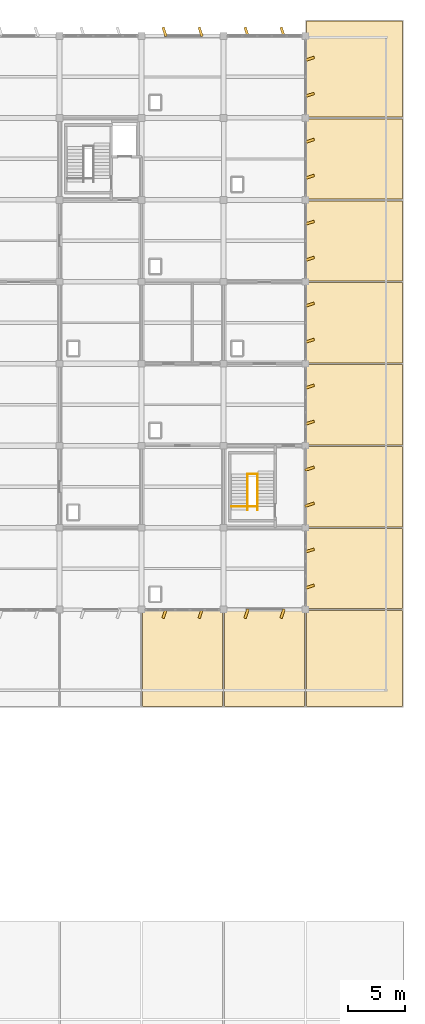
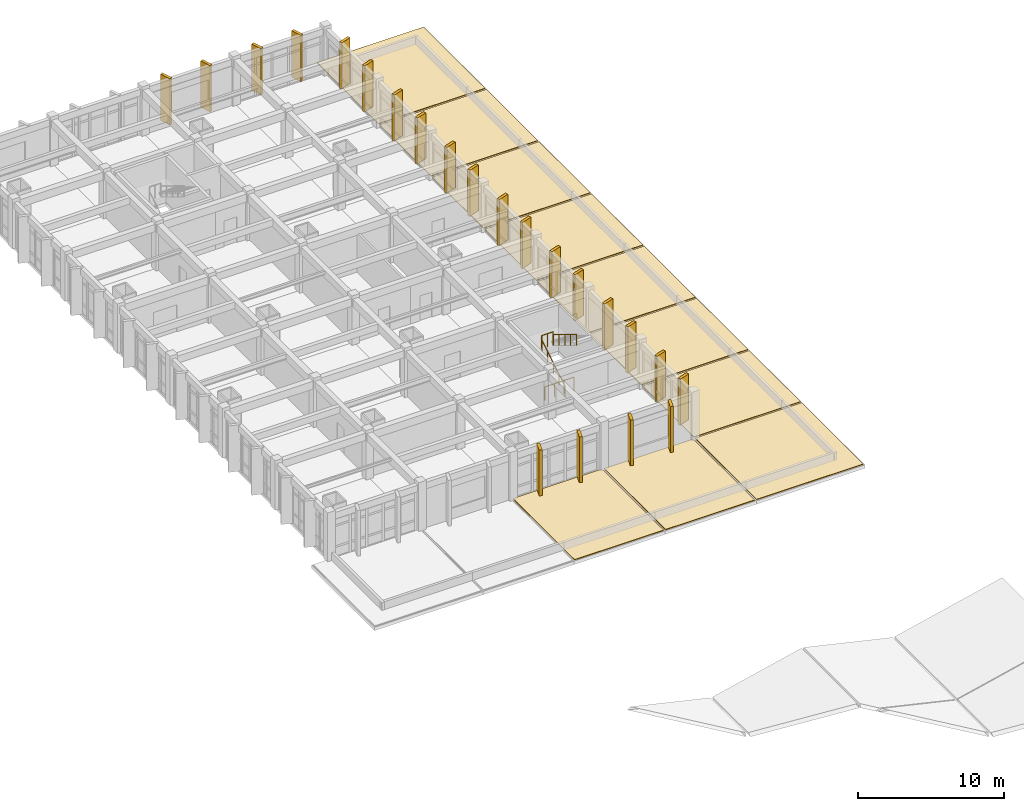
# One storey, part 62 of 62: 32 coverings, 4 railings.
"""IFC4 building model written with IfcOpenShell, lengths in metres."""

from ifc_helpers import new_model, si_unit, direction, frame, origin, origin_2d, place, context, subcontext, project, spatial, polyline, rectangle, circle, outline, extrude, material, layer, layer_set, type_object, element, save


model = new_model("IFC4")

# Units and contexts
model_context = context("Model", 3, precision=1e-05, world=origin(), true_north=direction((0.0, 1.0)))
body_context = subcontext(model_context, "Body", "Model", "MODEL_VIEW")
ifc_project = project(units=[si_unit("LENGTHUNIT", "METRE"), si_unit("AREAUNIT", "SQUARE_METRE"), si_unit("VOLUMEUNIT", "CUBIC_METRE"), si_unit("PLANEANGLEUNIT", "RADIAN"), si_unit("MASSUNIT", "GRAM", prefix="KILO")], contexts=[model_context])

# Site, building, storey
site_placement = place(None, origin())
site = spatial("IfcSite", under=ifc_project, at=site_placement, CompositionType="ELEMENT")
building_placement = place(site_placement, origin())
building = spatial("IfcBuilding", under=site, at=building_placement, Name="Kavelor Marine Aquarium", CompositionType="ELEMENT")
storey_placement = place(building_placement, frame((0.0, 0.0, 13.5)))
storey = spatial("IfcBuildingStorey", under=building, at=storey_placement, Name="L03", CompositionType="ELEMENT", Elevation=13.5)

# Coverings
ifc_material_1 = material(Name="Precast Concrete C45/55 Coastal Brise-Soleil Fin", Category="concrete")
ifc_layer_1 = layer(ifc_material_1, 0.219970703125)
ifc_layer_set_1 = layer_set([ifc_layer_1], Name="COV-CL1")
covering_type_1 = type_object("IfcCoveringType", Name="COV-CL1", PredefinedType="CLADDING", material=ifc_layer_set_1)
for number, where, z_axis, x_axis, name in (
    (1, (147.56005859375, 62.416015625, 0.0), (0.0, 0.0, 1.0), (0.951056516295, 0.309016994375, 0.0), "fin:y:L03:20_08:0"),
    (2, (147.56005859375, 65.583984375, 0.0), (0.0, 0.0, 1.0), (0.951056516295, 0.309016994375, 0.0), "fin:y:L03:20_08:1"),
    (3, (147.56005859375, 69.615966796875, 0.0), (0.0, 0.0, 1.0), (0.951056516295, 0.309016994375, 0.0), "fin:y:L03:20_09:0"),
    (4, (147.56005859375, 72.783935546875, 0.0), (0.0, 0.0, 1.0), (0.951056516295, 0.309016994375, 0.0), "fin:y:L03:20_09:1"),
    (5, (147.56005859375, 76.81591796875, 0.0), (0.0, 0.0, 1.0), (0.951056516295, 0.309016994375, 0.0), "fin:y:L03:20_10:0"),
    (6, (147.56005859375, 79.98388671875, 0.0), (0.0, 0.0, 1.0), (0.951056516295, 0.309016994375, 0.0), "fin:y:L03:20_10:1"),
    (7, (147.56005859375, 84.01611328125, 0.0), (0.0, 0.0, 1.0), (0.951056516295, 0.309016994375, 0.0), "fin:y:L03:20_11:0"),
    (8, (147.56005859375, 87.18408203125, 0.0), (0.0, 0.0, 1.0), (0.951056516295, 0.309016994375, 0.0), "fin:y:L03:20_11:1"),
    (9, (147.56005859375, 91.216064453125, 0.0), (0.0, 0.0, 1.0), (0.951056516295, 0.309016994375, 0.0), "fin:y:L03:20_12:0"),
    (10, (147.56005859375, 94.384033203125, 0.0), (0.0, 0.0, 1.0), (0.951056516295, 0.309016994375, 0.0), "fin:y:L03:20_12:1"),
    (11, (147.56005859375, 98.416015625, 0.0), (0.0, 0.0, 1.0), (0.951056516295, 0.309016994375, 0.0), "fin:y:L03:20_13:0"),
    (12, (147.56005859375, 101.583984375, 0.0), (0.0, 0.0, 1.0), (0.951056516295, 0.309016994375, 0.0), "fin:y:L03:20_13:1"),
    (13, (147.56005859375, 105.615966796875, 0.0), (0.0, 0.0, 1.0), (0.951056516295, 0.309016994375, 0.0), "fin:y:L03:20_14:0"),
    (14, (147.56005859375, 108.783935546875, 0.0), (0.0, 0.0, 1.0), (0.951056516295, 0.309016994375, 0.0), "fin:y:L03:20_14:1"),
):
    element("IfcCovering", number, at=place(storey_placement, frame(where, z_axis=z_axis, x_axis=x_axis)), inside=storey, type_object=covering_type_1, Name=name, PredefinedType="CLADDING", context=body_context, shape_type="SweptSolid", body=[
        extrude(rectangle(XDim=0.85009765625, YDim=0.219970703125, at=origin_2d()), origin(), (0.0, 0.0, 1.0), 3.8798828125),
    ])
for number, where, z_axis, x_axis, name in (
    (15, (134.81591796875, 60.0400390625, 0.0), (0.0, 0.0, 1.0), (0.951056516295, -0.309016994375, 0.0), "fin:x:L03:18_08:0"),
    (16, (137.98388671875, 60.0400390625, 0.0), (0.0, 0.0, 1.0), (0.951056516295, -0.309016994375, 0.0), "fin:x:L03:18_08:1"),
    (17, (134.81591796875, 111.159912109375, 0.0), (0.0, 0.0, 1.0), (0.951056516295, 0.309016994375, 0.0), "fin:x:L03:18_15:0"),
    (18, (137.98388671875, 111.159912109375, 0.0), (0.0, 0.0, 1.0), (0.951056516295, 0.309016994375, 0.0), "fin:x:L03:18_15:1"),
    (19, (142.01611328125, 60.0400390625, 0.0), (0.0, 0.0, 1.0), (0.951056516295, -0.309016994375, 0.0), "fin:x:L03:19_08:0"),
    (20, (145.18408203125, 60.0400390625, 0.0), (0.0, 0.0, 1.0), (0.951056516295, -0.309016994375, 0.0), "fin:x:L03:19_08:1"),
    (21, (142.01611328125, 111.159912109375, 0.0), (0.0, 0.0, 1.0), (0.951056516295, 0.309016994375, 0.0), "fin:x:L03:19_15:0"),
    (22, (145.18408203125, 111.159912109375, 0.0), (0.0, 0.0, 1.0), (0.951056516295, 0.309016994375, 0.0), "fin:x:L03:19_15:1"),
):
    element("IfcCovering", number, at=place(storey_placement, frame(where, z_axis=z_axis, x_axis=x_axis)), inside=storey, type_object=covering_type_1, Name=name, PredefinedType="CLADDING", context=body_context, shape_type="SweptSolid", body=[
        extrude(rectangle(XDim=0.219970703125, YDim=0.85009765625, at=origin_2d()), origin(), (0.0, 0.0, 1.0), 3.8798828125),
    ])
ifc_material_2 = material(Name="TPO Reflective Waterproof Roofing Membrane")
ifc_layer_2 = layer(ifc_material_2, 0.06005859375)
ifc_layer_set_2 = layer_set([ifc_layer_2], Name="COV-RF1")
covering_type_2 = type_object("IfcCoveringType", Name="COV-RF1", PredefinedType="ROOFING", material=ifc_layer_set_2)
covering_1_placement = place(storey_placement, origin())
element("IfcCovering", 23, at=covering_1_placement, inside=storey, type_object=covering_type_2, Name="rcov:L03:18_07", PredefinedType="ROOFING", context=body_context, shape_type="SweptSolid", body=[
    extrude(outline(polyline([(132.8798828125, 51.8798828125), (139.919921875, 51.8798828125), (139.919921875, 60.320068359375), (132.8798828125, 60.320068359375), (132.8798828125, 51.8798828125)])), origin(), (0.0, 0.0, 1.0), 0.06005859375),
])
covering_2_placement = place(storey_placement, origin())
element("IfcCovering", 24, at=covering_2_placement, inside=storey, type_object=covering_type_2, Name="rcov:L03:19_07", PredefinedType="ROOFING", context=body_context, shape_type="SweptSolid", body=[
    extrude(outline(polyline([(140.080078125, 51.8798828125), (147.1201171875, 51.8798828125), (147.1201171875, 60.320068359375), (140.080078125, 60.320068359375), (140.080078125, 51.8798828125)])), origin(), (0.0, 0.0, 1.0), 0.06005859375),
])
covering_3_placement = place(storey_placement, origin())
element("IfcCovering", 25, at=covering_3_placement, inside=storey, type_object=covering_type_2, Name="rcov:L03:20_07", PredefinedType="ROOFING", context=body_context, shape_type="SweptSolid", body=[
    extrude(outline(polyline([(147.280029296875, 51.8798828125), (155.719970703125, 51.8798828125), (155.719970703125, 60.320068359375), (147.280029296875, 60.320068359375), (147.280029296875, 51.8798828125)])), origin(), (0.0, 0.0, 1.0), 0.06005859375),
])
covering_4_placement = place(storey_placement, origin())
element("IfcCovering", 26, at=covering_4_placement, inside=storey, type_object=covering_type_2, Name="rcov:L03:20_08", PredefinedType="ROOFING", context=body_context, shape_type="SweptSolid", body=[
    extrude(outline(polyline([(147.280029296875, 60.47998046875), (155.719970703125, 60.47998046875), (155.719970703125, 67.52001953125), (147.280029296875, 67.52001953125), (147.280029296875, 60.47998046875)])), origin(), (0.0, 0.0, 1.0), 0.06005859375),
])
covering_5_placement = place(storey_placement, origin())
element("IfcCovering", 27, at=covering_5_placement, inside=storey, type_object=covering_type_2, Name="rcov:L03:20_09", PredefinedType="ROOFING", context=body_context, shape_type="SweptSolid", body=[
    extrude(outline(polyline([(147.280029296875, 67.679931640625), (155.719970703125, 67.679931640625), (155.719970703125, 74.719970703125), (147.280029296875, 74.719970703125), (147.280029296875, 67.679931640625)])), origin(), (0.0, 0.0, 1.0), 0.06005859375),
])
covering_6_placement = place(storey_placement, origin())
element("IfcCovering", 28, at=covering_6_placement, inside=storey, type_object=covering_type_2, Name="rcov:L03:20_10", PredefinedType="ROOFING", context=body_context, shape_type="SweptSolid", body=[
    extrude(outline(polyline([(147.280029296875, 74.8798828125), (155.719970703125, 74.8798828125), (155.719970703125, 81.919921875), (147.280029296875, 81.919921875), (147.280029296875, 74.8798828125)])), origin(), (0.0, 0.0, 1.0), 0.06005859375),
])
covering_7_placement = place(storey_placement, origin())
element("IfcCovering", 29, at=covering_7_placement, inside=storey, type_object=covering_type_2, Name="rcov:L03:20_11", PredefinedType="ROOFING", context=body_context, shape_type="SweptSolid", body=[
    extrude(outline(polyline([(147.280029296875, 82.080078125), (155.719970703125, 82.080078125), (155.719970703125, 89.1201171875), (147.280029296875, 89.1201171875), (147.280029296875, 82.080078125)])), origin(), (0.0, 0.0, 1.0), 0.06005859375),
])
covering_8_placement = place(storey_placement, origin())
element("IfcCovering", 30, at=covering_8_placement, inside=storey, type_object=covering_type_2, Name="rcov:L03:20_12", PredefinedType="ROOFING", context=body_context, shape_type="SweptSolid", body=[
    extrude(outline(polyline([(147.280029296875, 89.280029296875), (155.719970703125, 89.280029296875), (155.719970703125, 96.320068359375), (147.280029296875, 96.320068359375), (147.280029296875, 89.280029296875)])), origin(), (0.0, 0.0, 1.0), 0.06005859375),
])
covering_9_placement = place(storey_placement, origin())
element("IfcCovering", 31, at=covering_9_placement, inside=storey, type_object=covering_type_2, Name="rcov:L03:20_13", PredefinedType="ROOFING", context=body_context, shape_type="SweptSolid", body=[
    extrude(outline(polyline([(147.280029296875, 96.47998046875), (155.719970703125, 96.47998046875), (155.719970703125, 103.52001953125), (147.280029296875, 103.52001953125), (147.280029296875, 96.47998046875)])), origin(), (0.0, 0.0, 1.0), 0.06005859375),
])
covering_10_placement = place(storey_placement, origin())
element("IfcCovering", 32, at=covering_10_placement, inside=storey, type_object=covering_type_2, Name="rcov:L03:20_14", PredefinedType="ROOFING", context=body_context, shape_type="SweptSolid", body=[
    extrude(outline(polyline([(147.280029296875, 103.679931640625), (155.719970703125, 103.679931640625), (155.719970703125, 112.1201171875), (147.280029296875, 112.1201171875), (147.280029296875, 103.679931640625)])), origin(), (0.0, 0.0, 1.0), 0.06005859375),
])

# Railings
ifc_material_3 = material(Name="Brushed Stainless Steel Wall and Flight Handrail", Category="steel")
railing_type_1 = type_object("IfcRailingType", Name="RL-HR1", PredefinedType="HANDRAIL", material=ifc_material_3)
railing_1_placement = place(storey_placement, frame((142.090087890625, 69.159912109375, 0.0)))
element("IfcRailing", 33, at=railing_1_placement, inside=storey, type_object=railing_type_1, Name="Stair Handrail ST11-1", PredefinedType="HANDRAIL", context=body_context, shape_type="SweptSolid", body=[
    extrude(circle(Radius=0.02001953125, at=origin_2d()), frame((0.0, 0.0, 0.8798828125), z_axis=(0.0, 0.855505515513, 0.517793697264), x_axis=(-1.0, 0.0, 0.0)), (0.0, 0.0, 1.0), 3.66455078125),
    extrude(circle(Radius=0.01806640625, at=origin_2d()), origin(), (0.0, 0.0, 1.0), 0.85986328125),
    extrude(circle(Radius=0.01806640625, at=origin_2d()), frame((0.0, 0.78369140625, 0.474365234375)), (0.0, 0.0, 1.0), 0.85986328125),
    extrude(circle(Radius=0.01806640625, at=origin_2d()), frame((0.0, 1.5673828125, 0.94873046875)), (0.0, 0.0, 1.0), 0.85986328125),
    extrude(circle(Radius=0.01806640625, at=origin_2d()), frame((0.0, 2.351318359375, 1.423095703125)), (0.0, 0.0, 1.0), 0.85986328125),
    extrude(circle(Radius=0.01806640625, at=origin_2d()), frame((0.0, 3.135009765625, 1.8974609375)), (0.0, 0.0, 1.0), 0.85986328125),
])
railing_2_placement = place(storey_placement, frame((142.989990234375, 72.294921875, 2.070068359375)))
element("IfcRailing", 34, at=railing_2_placement, inside=storey, type_object=railing_type_1, Name="Stair Handrail ST11-2", PredefinedType="HANDRAIL", context=body_context, shape_type="SweptSolid", body=[
    extrude(circle(Radius=0.02001953125, at=origin_2d()), frame((0.0, 0.0, 0.8798828125), z_axis=(0.0, -0.855505515513, 0.517793697264), x_axis=(1.0, 0.0, 0.0)), (0.0, 0.0, 1.0), 3.66455078125),
    extrude(circle(Radius=0.01806640625, at=origin_2d()), origin(), (0.0, 0.0, 1.0), 0.85986328125),
    extrude(circle(Radius=0.01806640625, at=origin_2d()), frame((0.0, -0.78369140625, 0.474365234375)), (0.0, 0.0, 1.0), 0.85986328125),
    extrude(circle(Radius=0.01806640625, at=origin_2d()), frame((0.0, -1.5673828125, 0.94873046875)), (0.0, 0.0, 1.0), 0.85986328125),
    extrude(circle(Radius=0.01806640625, at=origin_2d()), frame((0.0, -2.351318359375, 1.423095703125)), (0.0, 0.0, 1.0), 0.85986328125),
    extrude(circle(Radius=0.01806640625, at=origin_2d()), frame((0.0, -3.135009765625, 1.8974609375)), (0.0, 0.0, 1.0), 0.85986328125),
])
ifc_material_4 = material(Name="Brushed Stainless Steel Stair Guardrail", Category="steel")
railing_type_2 = type_object("IfcRailingType", Name="RL-SG1", PredefinedType="GUARDRAIL", material=ifc_material_4)
railing_3_placement = place(storey_placement, frame((142.090087890625, 72.324951171875, 2.070068359375)))
element("IfcRailing", 35, at=railing_3_placement, inside=storey, type_object=railing_type_2, Name="Landing Guardrail ST11-M", PredefinedType="GUARDRAIL", context=body_context, shape_type="SweptSolid", body=[
    extrude(circle(Radius=0.0224609375, at=origin_2d()), frame((0.0, 0.0, 1.09765625), z_axis=(1.0, 0.0, 0.0), x_axis=(0.0, 1.0, 0.0)), (0.0, 0.0, 1.0), 0.89990234375),
    extrude(circle(Radius=0.02099609375, at=origin_2d()), origin(), (0.0, 0.0, 1.0), 1.0751953125),
    extrude(circle(Radius=0.02099609375, at=origin_2d()), frame((0.449951171875, 0.0, 0.0)), (0.0, 0.0, 1.0), 1.0751953125),
    extrude(circle(Radius=0.02099609375, at=origin_2d()), frame((0.89990234375, 0.0, 0.0)), (0.0, 0.0, 1.0), 1.0751953125),
])
railing_4_placement = place(storey_placement, frame((140.679931640625, 69.47998046875, 0.0)))
element("IfcRailing", 36, at=railing_4_placement, inside=storey, type_object=railing_type_2, Name="Stairwell Guardrail ST11-W", PredefinedType="GUARDRAIL", context=body_context, shape_type="SweptSolid", body=[
    extrude(circle(Radius=0.0224609375, at=origin_2d()), frame((0.0, 0.0, 1.09765625), z_axis=(1.0, 0.0, 0.0), x_axis=(0.0, 1.0, 0.0)), (0.0, 0.0, 1.0), 2.300048828125),
    extrude(circle(Radius=0.02099609375, at=origin_2d()), origin(), (0.0, 0.0, 1.0), 1.0751953125),
    extrude(circle(Radius=0.02099609375, at=origin_2d()), frame((0.7666015625, 0.0, 0.0)), (0.0, 0.0, 1.0), 1.0751953125),
    extrude(circle(Radius=0.02099609375, at=origin_2d()), frame((1.533447265625, 0.0, 0.0)), (0.0, 0.0, 1.0), 1.0751953125),
    extrude(circle(Radius=0.02099609375, at=origin_2d()), frame((2.300048828125, 0.0, 0.0)), (0.0, 0.0, 1.0), 1.0751953125),
])

save(model, "model.ifc")
